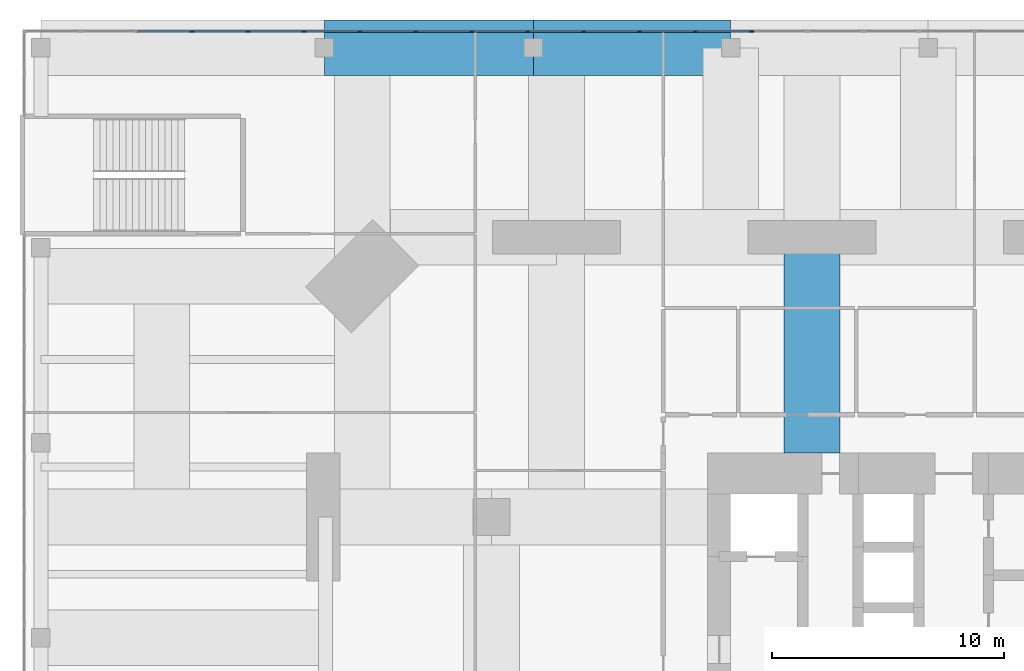
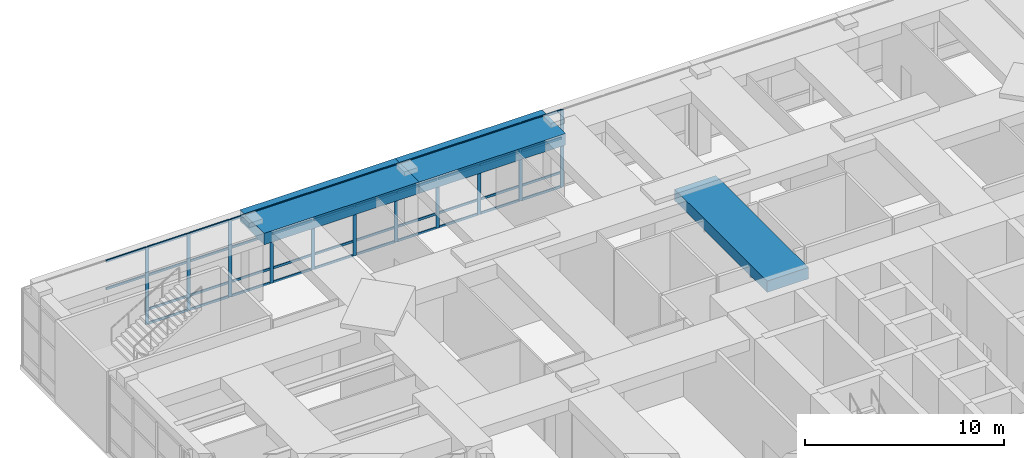
# One storey, part 8 of 24: 53 members, 3 beams, 1 element without a shape of its own.
"""IFC4 building model written with IfcOpenShell, lengths in metres."""

from ifc_helpers import new_model, si_unit, direction, frame, origin, origin_2d, place, context, subcontext, project, spatial, rectangle, extrude, material, material_profile, profile_set, type_object, element, aggregate, save


model = new_model("IFC4")

# Units and contexts
model_context = context("Model", 3, precision=1e-05, world=origin(), true_north=direction((0.0, 1.0)))
body_context = subcontext(model_context, "Body", "Model", "MODEL_VIEW")
ifc_project = project(units=[si_unit("LENGTHUNIT", "METRE"), si_unit("AREAUNIT", "SQUARE_METRE"), si_unit("VOLUMEUNIT", "CUBIC_METRE"), si_unit("PLANEANGLEUNIT", "RADIAN"), si_unit("MASSUNIT", "GRAM", prefix="KILO")], contexts=[model_context])

# Site, building, storey
site_placement = place(None, origin())
site = spatial("IfcSite", under=ifc_project, at=site_placement, CompositionType="ELEMENT")
building_placement = place(site_placement, origin())
building = spatial("IfcBuilding", under=site, at=building_placement, Name="Jalousie Tower", CompositionType="ELEMENT")
storey_placement = place(building_placement, frame((0.0, 0.0, 11.0)))
storey = spatial("IfcBuildingStorey", under=building, at=storey_placement, Name="L02", CompositionType="ELEMENT", Elevation=11.0)

# Curtain wall, members
ifc_material_1 = material(Name="Aluminium curtain wall", Category="aluminium")
curtain_wall_type = type_object("IfcCurtainWallType", Name="PODIUM WINDOW WALL", PredefinedType="USERDEFINED", material=ifc_material_1)
curtain_wall_placement = place(storey_placement, origin())
curtain_wall = element("IfcCurtainWall", 1, at=curtain_wall_placement, inside=storey, type_object=curtain_wall_type, Name="Podium Window Wall L02 21", ObjectType="PODIUM WINDOW WALL", PredefinedType="USERDEFINED")
ifc_material_2 = material(Name="Aluminium mullion", Category="aluminium")
ifc_material_profile_1 = material_profile(ifc_material_2, rectangle(XDim=0.070068359375, YDim=0.199951171875, at=origin_2d()), Name="MULLION 70x200")
ifc_profile_set_1 = profile_set([ifc_material_profile_1], Name="Aluminium mullion")
member_type_1 = type_object("IfcMemberType", Name="PODIUM WINDOW WALL MULLION", PredefinedType="MULLION", material=ifc_profile_set_1)
member_1_placement = place(storey_placement, frame((21.388427734375, 45.91259765625, 0.0), z_axis=(0.0, 0.0, 1.0), x_axis=(0.0, -1.0, 0.0)))
member_1 = element("IfcMember", 2, at=member_1_placement, type_object=member_type_1, Name="CW-P mullion 17", PredefinedType="MULLION", context=body_context, shape_type="SweptSolid", body=[
    extrude(rectangle(XDim=0.070068359375, YDim=0.199951171875, at=origin_2d()), origin(), (0.0, 0.0, 1.0), 4.719970703125),
])
member_2_placement = place(storey_placement, frame((18.980712890625, 45.91259765625, 0.0), z_axis=(0.0, 0.0, 1.0), x_axis=(0.0, -1.0, 0.0)))
member_2 = element("IfcMember", 3, at=member_2_placement, type_object=member_type_1, Name="CW-P mullion 18", PredefinedType="MULLION", context=body_context, shape_type="SweptSolid", body=[
    extrude(rectangle(XDim=0.070068359375, YDim=0.199951171875, at=origin_2d()), origin(), (0.0, 0.0, 1.0), 4.719970703125),
])
member_3_placement = place(storey_placement, frame((16.57275390625, 45.91259765625, 0.0), z_axis=(0.0, 0.0, 1.0), x_axis=(0.0, -1.0, 0.0)))
member_3 = element("IfcMember", 4, at=member_3_placement, type_object=member_type_1, Name="CW-P mullion 19", PredefinedType="MULLION", context=body_context, shape_type="SweptSolid", body=[
    extrude(rectangle(XDim=0.070068359375, YDim=0.199951171875, at=origin_2d()), origin(), (0.0, 0.0, 1.0), 4.719970703125),
])
member_4_placement = place(storey_placement, frame((14.1650390625, 45.91259765625, 0.0), z_axis=(0.0, 0.0, 1.0), x_axis=(0.0, -1.0, 0.0)))
member_4 = element("IfcMember", 5, at=member_4_placement, type_object=member_type_1, Name="CW-P mullion 20", PredefinedType="MULLION", context=body_context, shape_type="SweptSolid", body=[
    extrude(rectangle(XDim=0.070068359375, YDim=0.199951171875, at=origin_2d()), origin(), (0.0, 0.0, 1.0), 4.719970703125),
])
member_5_placement = place(storey_placement, frame((11.75732421875, 45.91259765625, 0.0), z_axis=(0.0, 0.0, 1.0), x_axis=(0.0, -1.0, 0.0)))
member_5 = element("IfcMember", 6, at=member_5_placement, type_object=member_type_1, Name="CW-P mullion 21", PredefinedType="MULLION", context=body_context, shape_type="SweptSolid", body=[
    extrude(rectangle(XDim=0.070068359375, YDim=0.199951171875, at=origin_2d()), origin(), (0.0, 0.0, 1.0), 4.719970703125),
])
member_6_placement = place(storey_placement, frame((9.349609375, 45.91259765625, 0.0), z_axis=(0.0, 0.0, 1.0), x_axis=(0.0, -1.0, 0.0)))
member_6 = element("IfcMember", 7, at=member_6_placement, type_object=member_type_1, Name="CW-P mullion 22", PredefinedType="MULLION", context=body_context, shape_type="SweptSolid", body=[
    extrude(rectangle(XDim=0.070068359375, YDim=0.199951171875, at=origin_2d()), origin(), (0.0, 0.0, 1.0), 4.719970703125),
])
member_7_placement = place(storey_placement, frame((6.94189453125, 45.91259765625, 0.0), z_axis=(0.0, 0.0, 1.0), x_axis=(0.0, -1.0, 0.0)))
member_7 = element("IfcMember", 8, at=member_7_placement, type_object=member_type_1, Name="CW-P mullion 23", PredefinedType="MULLION", context=body_context, shape_type="SweptSolid", body=[
    extrude(rectangle(XDim=0.070068359375, YDim=0.199951171875, at=origin_2d()), origin(), (0.0, 0.0, 1.0), 4.719970703125),
])
member_8_placement = place(storey_placement, frame((4.533935546875, 45.91259765625, 0.0), z_axis=(0.0, 0.0, 1.0), x_axis=(0.0, -1.0, 0.0)))
member_8 = element("IfcMember", 9, at=member_8_placement, type_object=member_type_1, Name="CW-P mullion 24", PredefinedType="MULLION", context=body_context, shape_type="SweptSolid", body=[
    extrude(rectangle(XDim=0.070068359375, YDim=0.199951171875, at=origin_2d()), origin(), (0.0, 0.0, 1.0), 4.719970703125),
])
member_9_placement = place(storey_placement, frame((2.126220703125, 45.91259765625, 0.0), z_axis=(0.0, 0.0, 1.0), x_axis=(0.0, -1.0, 0.0)))
member_9 = element("IfcMember", 10, at=member_9_placement, type_object=member_type_1, Name="CW-P mullion 25", PredefinedType="MULLION", context=body_context, shape_type="SweptSolid", body=[
    extrude(rectangle(XDim=0.070068359375, YDim=0.199951171875, at=origin_2d()), origin(), (0.0, 0.0, 1.0), 4.719970703125),
])
member_10_placement = place(storey_placement, frame((-0.281494140625, 45.91259765625, 0.0), z_axis=(0.0, 0.0, 1.0), x_axis=(0.0, -1.0, 0.0)))
member_10 = element("IfcMember", 11, at=member_10_placement, type_object=member_type_1, Name="CW-P mullion 26", PredefinedType="MULLION", context=body_context, shape_type="SweptSolid", body=[
    extrude(rectangle(XDim=0.070068359375, YDim=0.199951171875, at=origin_2d()), origin(), (0.0, 0.0, 1.0), 4.719970703125),
])
member_11_placement = place(storey_placement, frame((-2.689208984375, 45.91259765625, 0.0), z_axis=(0.0, 0.0, 1.0), x_axis=(0.0, -1.0, 0.0)))
member_11 = element("IfcMember", 12, at=member_11_placement, type_object=member_type_1, Name="CW-P mullion 27", PredefinedType="MULLION", context=body_context, shape_type="SweptSolid", body=[
    extrude(rectangle(XDim=0.070068359375, YDim=0.199951171875, at=origin_2d()), origin(), (0.0, 0.0, 1.0), 4.719970703125),
])
ifc_material_3 = material(Name="Aluminium transom", Category="aluminium")
ifc_material_profile_2 = material_profile(ifc_material_3, rectangle(XDim=0.070068359375, YDim=0.139892578125, at=origin_2d()), Name="TRANSOM 70x140")
ifc_profile_set_2 = profile_set([ifc_material_profile_2], Name="Aluminium transom")
member_type_2 = type_object("IfcMemberType", Name="PODIUM WINDOW WALL TRANSOM", PredefinedType="USERDEFINED", material=ifc_profile_set_2)
member_12_placement = place(storey_placement, frame((21.353271484375, 45.91259765625, 0.034912109375), z_axis=(-1.0, 0.0, 0.0), x_axis=(0.0, -1.0, 0.0)))
member_12 = element("IfcMember", 13, at=member_12_placement, type_object=member_type_2, Name="CW-P transom 17.1", ObjectType="TRANSOM", PredefinedType="USERDEFINED", context=body_context, shape_type="SweptSolid", body=[
    extrude(rectangle(XDim=0.070068359375, YDim=0.139892578125, at=origin_2d()), origin(), (0.0, 0.0, 1.0), 2.337646484375),
])
member_13_placement = place(storey_placement, frame((21.353271484375, 45.91259765625, 0.89990234375), z_axis=(-1.0, 0.0, 0.0), x_axis=(0.0, -1.0, 0.0)))
member_13 = element("IfcMember", 14, at=member_13_placement, type_object=member_type_2, Name="CW-P transom 17.2", ObjectType="TRANSOM", PredefinedType="USERDEFINED", context=body_context, shape_type="SweptSolid", body=[
    extrude(rectangle(XDim=0.070068359375, YDim=0.139892578125, at=origin_2d()), origin(), (0.0, 0.0, 1.0), 2.337646484375),
])
member_14_placement = place(storey_placement, frame((21.353271484375, 45.91259765625, 3.0), z_axis=(-1.0, 0.0, 0.0), x_axis=(0.0, -1.0, 0.0)))
member_14 = element("IfcMember", 15, at=member_14_placement, type_object=member_type_2, Name="CW-P transom 17.3", ObjectType="TRANSOM", PredefinedType="USERDEFINED", context=body_context, shape_type="SweptSolid", body=[
    extrude(rectangle(XDim=0.070068359375, YDim=0.139892578125, at=origin_2d()), origin(), (0.0, 0.0, 1.0), 2.337646484375),
])
member_15_placement = place(storey_placement, frame((21.353271484375, 45.91259765625, 4.68505859375), z_axis=(-1.0, 0.0, 0.0), x_axis=(0.0, -1.0, 0.0)))
member_15 = element("IfcMember", 16, at=member_15_placement, type_object=member_type_2, Name="CW-P transom 17.4", ObjectType="TRANSOM", PredefinedType="USERDEFINED", context=body_context, shape_type="SweptSolid", body=[
    extrude(rectangle(XDim=0.070068359375, YDim=0.139892578125, at=origin_2d()), origin(), (0.0, 0.0, 1.0), 2.337646484375),
])
member_16_placement = place(storey_placement, frame((18.945556640625, 45.91259765625, 0.034912109375), z_axis=(-1.0, 0.0, 0.0), x_axis=(0.0, -1.0, 0.0)))
member_16 = element("IfcMember", 17, at=member_16_placement, type_object=member_type_2, Name="CW-P transom 18.1", ObjectType="TRANSOM", PredefinedType="USERDEFINED", context=body_context, shape_type="SweptSolid", body=[
    extrude(rectangle(XDim=0.070068359375, YDim=0.139892578125, at=origin_2d()), origin(), (0.0, 0.0, 1.0), 2.337646484375),
])
member_17_placement = place(storey_placement, frame((18.945556640625, 45.91259765625, 0.89990234375), z_axis=(-1.0, 0.0, 0.0), x_axis=(0.0, -1.0, 0.0)))
member_17 = element("IfcMember", 18, at=member_17_placement, type_object=member_type_2, Name="CW-P transom 18.2", ObjectType="TRANSOM", PredefinedType="USERDEFINED", context=body_context, shape_type="SweptSolid", body=[
    extrude(rectangle(XDim=0.070068359375, YDim=0.139892578125, at=origin_2d()), origin(), (0.0, 0.0, 1.0), 2.337646484375),
])
member_18_placement = place(storey_placement, frame((18.945556640625, 45.91259765625, 3.0), z_axis=(-1.0, 0.0, 0.0), x_axis=(0.0, -1.0, 0.0)))
member_18 = element("IfcMember", 19, at=member_18_placement, type_object=member_type_2, Name="CW-P transom 18.3", ObjectType="TRANSOM", PredefinedType="USERDEFINED", context=body_context, shape_type="SweptSolid", body=[
    extrude(rectangle(XDim=0.070068359375, YDim=0.139892578125, at=origin_2d()), origin(), (0.0, 0.0, 1.0), 2.337646484375),
])
member_19_placement = place(storey_placement, frame((18.945556640625, 45.91259765625, 4.68505859375), z_axis=(-1.0, 0.0, 0.0), x_axis=(0.0, -1.0, 0.0)))
member_19 = element("IfcMember", 20, at=member_19_placement, type_object=member_type_2, Name="CW-P transom 18.4", ObjectType="TRANSOM", PredefinedType="USERDEFINED", context=body_context, shape_type="SweptSolid", body=[
    extrude(rectangle(XDim=0.070068359375, YDim=0.139892578125, at=origin_2d()), origin(), (0.0, 0.0, 1.0), 2.337646484375),
])
member_20_placement = place(storey_placement, frame((16.537841796875, 45.91259765625, 0.034912109375), z_axis=(-1.0, 0.0, 0.0), x_axis=(0.0, -1.0, 0.0)))
member_20 = element("IfcMember", 21, at=member_20_placement, type_object=member_type_2, Name="CW-P transom 19.1", ObjectType="TRANSOM", PredefinedType="USERDEFINED", context=body_context, shape_type="SweptSolid", body=[
    extrude(rectangle(XDim=0.070068359375, YDim=0.139892578125, at=origin_2d()), origin(), (0.0, 0.0, 1.0), 2.337646484375),
])
member_21_placement = place(storey_placement, frame((16.537841796875, 45.91259765625, 0.89990234375), z_axis=(-1.0, 0.0, 0.0), x_axis=(0.0, -1.0, 0.0)))
member_21 = element("IfcMember", 22, at=member_21_placement, type_object=member_type_2, Name="CW-P transom 19.2", ObjectType="TRANSOM", PredefinedType="USERDEFINED", context=body_context, shape_type="SweptSolid", body=[
    extrude(rectangle(XDim=0.070068359375, YDim=0.139892578125, at=origin_2d()), origin(), (0.0, 0.0, 1.0), 2.337646484375),
])
member_22_placement = place(storey_placement, frame((16.537841796875, 45.91259765625, 3.0), z_axis=(-1.0, 0.0, 0.0), x_axis=(0.0, -1.0, 0.0)))
member_22 = element("IfcMember", 23, at=member_22_placement, type_object=member_type_2, Name="CW-P transom 19.3", ObjectType="TRANSOM", PredefinedType="USERDEFINED", context=body_context, shape_type="SweptSolid", body=[
    extrude(rectangle(XDim=0.070068359375, YDim=0.139892578125, at=origin_2d()), origin(), (0.0, 0.0, 1.0), 2.337646484375),
])
member_23_placement = place(storey_placement, frame((16.537841796875, 45.91259765625, 4.68505859375), z_axis=(-1.0, 0.0, 0.0), x_axis=(0.0, -1.0, 0.0)))
member_23 = element("IfcMember", 24, at=member_23_placement, type_object=member_type_2, Name="CW-P transom 19.4", ObjectType="TRANSOM", PredefinedType="USERDEFINED", context=body_context, shape_type="SweptSolid", body=[
    extrude(rectangle(XDim=0.070068359375, YDim=0.139892578125, at=origin_2d()), origin(), (0.0, 0.0, 1.0), 2.337646484375),
])
member_24_placement = place(storey_placement, frame((14.130126953125, 45.91259765625, 0.034912109375), z_axis=(-1.0, 0.0, 0.0), x_axis=(0.0, -1.0, 0.0)))
member_24 = element("IfcMember", 25, at=member_24_placement, type_object=member_type_2, Name="CW-P transom 20.1", ObjectType="TRANSOM", PredefinedType="USERDEFINED", context=body_context, shape_type="SweptSolid", body=[
    extrude(rectangle(XDim=0.070068359375, YDim=0.139892578125, at=origin_2d()), origin(), (0.0, 0.0, 1.0), 2.337890625),
])
member_25_placement = place(storey_placement, frame((14.130126953125, 45.91259765625, 0.89990234375), z_axis=(-1.0, 0.0, 0.0), x_axis=(0.0, -1.0, 0.0)))
member_25 = element("IfcMember", 26, at=member_25_placement, type_object=member_type_2, Name="CW-P transom 20.2", ObjectType="TRANSOM", PredefinedType="USERDEFINED", context=body_context, shape_type="SweptSolid", body=[
    extrude(rectangle(XDim=0.070068359375, YDim=0.139892578125, at=origin_2d()), origin(), (0.0, 0.0, 1.0), 2.337890625),
])
member_26_placement = place(storey_placement, frame((14.130126953125, 45.91259765625, 3.0), z_axis=(-1.0, 0.0, 0.0), x_axis=(0.0, -1.0, 0.0)))
member_26 = element("IfcMember", 27, at=member_26_placement, type_object=member_type_2, Name="CW-P transom 20.3", ObjectType="TRANSOM", PredefinedType="USERDEFINED", context=body_context, shape_type="SweptSolid", body=[
    extrude(rectangle(XDim=0.070068359375, YDim=0.139892578125, at=origin_2d()), origin(), (0.0, 0.0, 1.0), 2.337890625),
])
member_27_placement = place(storey_placement, frame((14.130126953125, 45.91259765625, 4.68505859375), z_axis=(-1.0, 0.0, 0.0), x_axis=(0.0, -1.0, 0.0)))
member_27 = element("IfcMember", 28, at=member_27_placement, type_object=member_type_2, Name="CW-P transom 20.4", ObjectType="TRANSOM", PredefinedType="USERDEFINED", context=body_context, shape_type="SweptSolid", body=[
    extrude(rectangle(XDim=0.070068359375, YDim=0.139892578125, at=origin_2d()), origin(), (0.0, 0.0, 1.0), 2.337890625),
])
member_28_placement = place(storey_placement, frame((11.722412109375, 45.91259765625, 0.034912109375), z_axis=(-1.0, 0.0, 0.0), x_axis=(0.0, -1.0, 0.0)))
member_28 = element("IfcMember", 29, at=member_28_placement, type_object=member_type_2, Name="CW-P transom 21.1", ObjectType="TRANSOM", PredefinedType="USERDEFINED", context=body_context, shape_type="SweptSolid", body=[
    extrude(rectangle(XDim=0.070068359375, YDim=0.139892578125, at=origin_2d()), origin(), (0.0, 0.0, 1.0), 2.337890625),
])
member_29_placement = place(storey_placement, frame((11.722412109375, 45.91259765625, 0.89990234375), z_axis=(-1.0, 0.0, 0.0), x_axis=(0.0, -1.0, 0.0)))
member_29 = element("IfcMember", 30, at=member_29_placement, type_object=member_type_2, Name="CW-P transom 21.2", ObjectType="TRANSOM", PredefinedType="USERDEFINED", context=body_context, shape_type="SweptSolid", body=[
    extrude(rectangle(XDim=0.070068359375, YDim=0.139892578125, at=origin_2d()), origin(), (0.0, 0.0, 1.0), 2.337890625),
])
member_30_placement = place(storey_placement, frame((11.722412109375, 45.91259765625, 3.0), z_axis=(-1.0, 0.0, 0.0), x_axis=(0.0, -1.0, 0.0)))
member_30 = element("IfcMember", 31, at=member_30_placement, type_object=member_type_2, Name="CW-P transom 21.3", ObjectType="TRANSOM", PredefinedType="USERDEFINED", context=body_context, shape_type="SweptSolid", body=[
    extrude(rectangle(XDim=0.070068359375, YDim=0.139892578125, at=origin_2d()), origin(), (0.0, 0.0, 1.0), 2.337890625),
])
member_31_placement = place(storey_placement, frame((11.722412109375, 45.91259765625, 4.68505859375), z_axis=(-1.0, 0.0, 0.0), x_axis=(0.0, -1.0, 0.0)))
member_31 = element("IfcMember", 32, at=member_31_placement, type_object=member_type_2, Name="CW-P transom 21.4", ObjectType="TRANSOM", PredefinedType="USERDEFINED", context=body_context, shape_type="SweptSolid", body=[
    extrude(rectangle(XDim=0.070068359375, YDim=0.139892578125, at=origin_2d()), origin(), (0.0, 0.0, 1.0), 2.337890625),
])
member_32_placement = place(storey_placement, frame((9.314453125, 45.91259765625, 0.034912109375), z_axis=(-1.0, 0.0, 0.0), x_axis=(0.0, -1.0, 0.0)))
member_32 = element("IfcMember", 33, at=member_32_placement, type_object=member_type_2, Name="CW-P transom 22.1", ObjectType="TRANSOM", PredefinedType="USERDEFINED", context=body_context, shape_type="SweptSolid", body=[
    extrude(rectangle(XDim=0.070068359375, YDim=0.139892578125, at=origin_2d()), origin(), (0.0, 0.0, 1.0), 2.337646484375),
])
member_33_placement = place(storey_placement, frame((9.314453125, 45.91259765625, 0.89990234375), z_axis=(-1.0, 0.0, 0.0), x_axis=(0.0, -1.0, 0.0)))
member_33 = element("IfcMember", 34, at=member_33_placement, type_object=member_type_2, Name="CW-P transom 22.2", ObjectType="TRANSOM", PredefinedType="USERDEFINED", context=body_context, shape_type="SweptSolid", body=[
    extrude(rectangle(XDim=0.070068359375, YDim=0.139892578125, at=origin_2d()), origin(), (0.0, 0.0, 1.0), 2.337646484375),
])
member_34_placement = place(storey_placement, frame((9.314453125, 45.91259765625, 3.0), z_axis=(-1.0, 0.0, 0.0), x_axis=(0.0, -1.0, 0.0)))
member_34 = element("IfcMember", 35, at=member_34_placement, type_object=member_type_2, Name="CW-P transom 22.3", ObjectType="TRANSOM", PredefinedType="USERDEFINED", context=body_context, shape_type="SweptSolid", body=[
    extrude(rectangle(XDim=0.070068359375, YDim=0.139892578125, at=origin_2d()), origin(), (0.0, 0.0, 1.0), 2.337646484375),
])
member_35_placement = place(storey_placement, frame((9.314453125, 45.91259765625, 4.68505859375), z_axis=(-1.0, 0.0, 0.0), x_axis=(0.0, -1.0, 0.0)))
member_35 = element("IfcMember", 36, at=member_35_placement, type_object=member_type_2, Name="CW-P transom 22.4", ObjectType="TRANSOM", PredefinedType="USERDEFINED", context=body_context, shape_type="SweptSolid", body=[
    extrude(rectangle(XDim=0.070068359375, YDim=0.139892578125, at=origin_2d()), origin(), (0.0, 0.0, 1.0), 2.337646484375),
])
member_36_placement = place(storey_placement, frame((6.90673828125, 45.91259765625, 0.034912109375), z_axis=(-1.0, 0.0, 0.0), x_axis=(0.0, -1.0, 0.0)))
member_36 = element("IfcMember", 37, at=member_36_placement, type_object=member_type_2, Name="CW-P transom 23.1", ObjectType="TRANSOM", PredefinedType="USERDEFINED", context=body_context, shape_type="SweptSolid", body=[
    extrude(rectangle(XDim=0.070068359375, YDim=0.139892578125, at=origin_2d()), origin(), (0.0, 0.0, 1.0), 2.337646484375),
])
member_37_placement = place(storey_placement, frame((6.90673828125, 45.91259765625, 0.89990234375), z_axis=(-1.0, 0.0, 0.0), x_axis=(0.0, -1.0, 0.0)))
member_37 = element("IfcMember", 38, at=member_37_placement, type_object=member_type_2, Name="CW-P transom 23.2", ObjectType="TRANSOM", PredefinedType="USERDEFINED", context=body_context, shape_type="SweptSolid", body=[
    extrude(rectangle(XDim=0.070068359375, YDim=0.139892578125, at=origin_2d()), origin(), (0.0, 0.0, 1.0), 2.337646484375),
])
member_38_placement = place(storey_placement, frame((6.90673828125, 45.91259765625, 3.0), z_axis=(-1.0, 0.0, 0.0), x_axis=(0.0, -1.0, 0.0)))
member_38 = element("IfcMember", 39, at=member_38_placement, type_object=member_type_2, Name="CW-P transom 23.3", ObjectType="TRANSOM", PredefinedType="USERDEFINED", context=body_context, shape_type="SweptSolid", body=[
    extrude(rectangle(XDim=0.070068359375, YDim=0.139892578125, at=origin_2d()), origin(), (0.0, 0.0, 1.0), 2.337646484375),
])
member_39_placement = place(storey_placement, frame((6.90673828125, 45.91259765625, 4.68505859375), z_axis=(-1.0, 0.0, 0.0), x_axis=(0.0, -1.0, 0.0)))
member_39 = element("IfcMember", 40, at=member_39_placement, type_object=member_type_2, Name="CW-P transom 23.4", ObjectType="TRANSOM", PredefinedType="USERDEFINED", context=body_context, shape_type="SweptSolid", body=[
    extrude(rectangle(XDim=0.070068359375, YDim=0.139892578125, at=origin_2d()), origin(), (0.0, 0.0, 1.0), 2.337646484375),
])
member_40_placement = place(storey_placement, frame((4.4990234375, 45.91259765625, 0.034912109375), z_axis=(-1.0, 0.0, 0.0), x_axis=(0.0, -1.0, 0.0)))
member_40 = element("IfcMember", 41, at=member_40_placement, type_object=member_type_2, Name="CW-P transom 24.1", ObjectType="TRANSOM", PredefinedType="USERDEFINED", context=body_context, shape_type="SweptSolid", body=[
    extrude(rectangle(XDim=0.070068359375, YDim=0.139892578125, at=origin_2d()), origin(), (0.0, 0.0, 1.0), 2.337646484375),
])
member_41_placement = place(storey_placement, frame((4.4990234375, 45.91259765625, 0.89990234375), z_axis=(-1.0, 0.0, 0.0), x_axis=(0.0, -1.0, 0.0)))
member_41 = element("IfcMember", 42, at=member_41_placement, type_object=member_type_2, Name="CW-P transom 24.2", ObjectType="TRANSOM", PredefinedType="USERDEFINED", context=body_context, shape_type="SweptSolid", body=[
    extrude(rectangle(XDim=0.070068359375, YDim=0.139892578125, at=origin_2d()), origin(), (0.0, 0.0, 1.0), 2.337646484375),
])
member_42_placement = place(storey_placement, frame((4.4990234375, 45.91259765625, 3.0), z_axis=(-1.0, 0.0, 0.0), x_axis=(0.0, -1.0, 0.0)))
member_42 = element("IfcMember", 43, at=member_42_placement, type_object=member_type_2, Name="CW-P transom 24.3", ObjectType="TRANSOM", PredefinedType="USERDEFINED", context=body_context, shape_type="SweptSolid", body=[
    extrude(rectangle(XDim=0.070068359375, YDim=0.139892578125, at=origin_2d()), origin(), (0.0, 0.0, 1.0), 2.337646484375),
])
member_43_placement = place(storey_placement, frame((4.4990234375, 45.91259765625, 4.68505859375), z_axis=(-1.0, 0.0, 0.0), x_axis=(0.0, -1.0, 0.0)))
member_43 = element("IfcMember", 44, at=member_43_placement, type_object=member_type_2, Name="CW-P transom 24.4", ObjectType="TRANSOM", PredefinedType="USERDEFINED", context=body_context, shape_type="SweptSolid", body=[
    extrude(rectangle(XDim=0.070068359375, YDim=0.139892578125, at=origin_2d()), origin(), (0.0, 0.0, 1.0), 2.337646484375),
])
member_44_placement = place(storey_placement, frame((2.09130859375, 45.91259765625, 0.034912109375), z_axis=(-1.0, 0.0, 0.0), x_axis=(0.0, -1.0, 0.0)))
member_44 = element("IfcMember", 45, at=member_44_placement, type_object=member_type_2, Name="CW-P transom 25.1", ObjectType="TRANSOM", PredefinedType="USERDEFINED", context=body_context, shape_type="SweptSolid", body=[
    extrude(rectangle(XDim=0.070068359375, YDim=0.139892578125, at=origin_2d()), origin(), (0.0, 0.0, 1.0), 2.337890625),
])
member_45_placement = place(storey_placement, frame((2.09130859375, 45.91259765625, 0.89990234375), z_axis=(-1.0, 0.0, 0.0), x_axis=(0.0, -1.0, 0.0)))
member_45 = element("IfcMember", 46, at=member_45_placement, type_object=member_type_2, Name="CW-P transom 25.2", ObjectType="TRANSOM", PredefinedType="USERDEFINED", context=body_context, shape_type="SweptSolid", body=[
    extrude(rectangle(XDim=0.070068359375, YDim=0.139892578125, at=origin_2d()), origin(), (0.0, 0.0, 1.0), 2.337890625),
])
member_46_placement = place(storey_placement, frame((2.09130859375, 45.91259765625, 3.0), z_axis=(-1.0, 0.0, 0.0), x_axis=(0.0, -1.0, 0.0)))
member_46 = element("IfcMember", 47, at=member_46_placement, type_object=member_type_2, Name="CW-P transom 25.3", ObjectType="TRANSOM", PredefinedType="USERDEFINED", context=body_context, shape_type="SweptSolid", body=[
    extrude(rectangle(XDim=0.070068359375, YDim=0.139892578125, at=origin_2d()), origin(), (0.0, 0.0, 1.0), 2.337890625),
])
member_47_placement = place(storey_placement, frame((2.09130859375, 45.91259765625, 4.68505859375), z_axis=(-1.0, 0.0, 0.0), x_axis=(0.0, -1.0, 0.0)))
member_47 = element("IfcMember", 48, at=member_47_placement, type_object=member_type_2, Name="CW-P transom 25.4", ObjectType="TRANSOM", PredefinedType="USERDEFINED", context=body_context, shape_type="SweptSolid", body=[
    extrude(rectangle(XDim=0.070068359375, YDim=0.139892578125, at=origin_2d()), origin(), (0.0, 0.0, 1.0), 2.337890625),
])
member_48_placement = place(storey_placement, frame((-0.31640625, 45.91259765625, 0.034912109375), z_axis=(-1.0, 0.0, 0.0), x_axis=(0.0, -1.0, 0.0)))
member_48 = element("IfcMember", 49, at=member_48_placement, type_object=member_type_2, Name="CW-P transom 26.1", ObjectType="TRANSOM", PredefinedType="USERDEFINED", context=body_context, shape_type="SweptSolid", body=[
    extrude(rectangle(XDim=0.070068359375, YDim=0.139892578125, at=origin_2d()), origin(), (0.0, 0.0, 1.0), 2.337890625),
])
member_49_placement = place(storey_placement, frame((-0.31640625, 45.91259765625, 0.89990234375), z_axis=(-1.0, 0.0, 0.0), x_axis=(0.0, -1.0, 0.0)))
member_49 = element("IfcMember", 50, at=member_49_placement, type_object=member_type_2, Name="CW-P transom 26.2", ObjectType="TRANSOM", PredefinedType="USERDEFINED", context=body_context, shape_type="SweptSolid", body=[
    extrude(rectangle(XDim=0.070068359375, YDim=0.139892578125, at=origin_2d()), origin(), (0.0, 0.0, 1.0), 2.337890625),
])
member_50_placement = place(storey_placement, frame((-0.31640625, 45.91259765625, 3.0), z_axis=(-1.0, 0.0, 0.0), x_axis=(0.0, -1.0, 0.0)))
member_50 = element("IfcMember", 51, at=member_50_placement, type_object=member_type_2, Name="CW-P transom 26.3", ObjectType="TRANSOM", PredefinedType="USERDEFINED", context=body_context, shape_type="SweptSolid", body=[
    extrude(rectangle(XDim=0.070068359375, YDim=0.139892578125, at=origin_2d()), origin(), (0.0, 0.0, 1.0), 2.337890625),
])
member_51_placement = place(storey_placement, frame((-0.31640625, 45.91259765625, 4.68505859375), z_axis=(-1.0, 0.0, 0.0), x_axis=(0.0, -1.0, 0.0)))
member_51 = element("IfcMember", 52, at=member_51_placement, type_object=member_type_2, Name="CW-P transom 26.4", ObjectType="TRANSOM", PredefinedType="USERDEFINED", context=body_context, shape_type="SweptSolid", body=[
    extrude(rectangle(XDim=0.070068359375, YDim=0.139892578125, at=origin_2d()), origin(), (0.0, 0.0, 1.0), 2.337890625),
])
member_52_placement = place(storey_placement, frame((-2.72412109375, 45.91259765625, 3.0), z_axis=(-1.0, 0.0, 0.0), x_axis=(0.0, -1.0, 0.0)))
member_52 = element("IfcMember", 53, at=member_52_placement, type_object=member_type_2, Name="CW-P transom 27.3", ObjectType="TRANSOM", PredefinedType="USERDEFINED", context=body_context, shape_type="SweptSolid", body=[
    extrude(rectangle(XDim=0.070068359375, YDim=0.139892578125, at=origin_2d()), origin(), (0.0, 0.0, 1.0), 2.337890625),
])
member_53_placement = place(storey_placement, frame((-2.72412109375, 45.91259765625, 4.68505859375), z_axis=(-1.0, 0.0, 0.0), x_axis=(0.0, -1.0, 0.0)))
member_53 = element("IfcMember", 54, at=member_53_placement, type_object=member_type_2, Name="CW-P transom 27.4", ObjectType="TRANSOM", PredefinedType="USERDEFINED", context=body_context, shape_type="SweptSolid", body=[
    extrude(rectangle(XDim=0.070068359375, YDim=0.139892578125, at=origin_2d()), origin(), (0.0, 0.0, 1.0), 2.337890625),
])
aggregate(curtain_wall, [member_1, member_2, member_3, member_4, member_5, member_6, member_7, member_8, member_9, member_10, member_11, member_12, member_13, member_14, member_15, member_16, member_17, member_18, member_19, member_20, member_21, member_22, member_23, member_24, member_25, member_26, member_27, member_28, member_29, member_30, member_31, member_32, member_33, member_34, member_35, member_36, member_37, member_38, member_39, member_40, member_41, member_42, member_43, member_44, member_45, member_46, member_47, member_48, member_49, member_50, member_51, member_52, member_53])

# Beams
ifc_material_4 = material(Name="Concrete f'c 40 MPa", Category="concrete")
ifc_material_profile_3 = material_profile(ifc_material_4, rectangle(XDim=2.39990234375, YDim=0.699951171875, at=origin_2d()), Name="RC 2400x700")
ifc_profile_set_3 = profile_set([ifc_material_profile_3], Name="Concrete f'c 40 MPa")
beam_type = type_object("IfcBeamType", Name="RC BEAM 2400x700", PredefinedType="BEAM", material=ifc_profile_set_3)
beam_1_placement = place(storey_placement, frame((3.0, 45.199951171875, 4.3701171875), z_axis=(1.0, 0.0, 0.0), x_axis=(0.0, 1.0, 0.0)))
element("IfcBeam", 55, at=beam_1_placement, inside=storey, type_object=beam_type, Name="Floor band beam under L03", PredefinedType="BEAM", context=body_context, shape_type="SweptSolid", body=[
    extrude(rectangle(XDim=2.39990234375, YDim=0.699951171875, at=origin_2d()), origin(), (0.0, 0.0, 1.0), 9.0),
])
beam_2_placement = place(storey_placement, frame((12.0, 45.199951171875, 4.3701171875), z_axis=(1.0, 0.0, 0.0), x_axis=(0.0, 1.0, 0.0)))
element("IfcBeam", 56, at=beam_2_placement, inside=storey, type_object=beam_type, Name="Floor band beam under L03", PredefinedType="BEAM", context=body_context, shape_type="SweptSolid", body=[
    extrude(rectangle(XDim=2.39990234375, YDim=0.699951171875, at=origin_2d()), origin(), (0.0, 0.0, 1.0), 8.5),
])
beam_3_placement = place(storey_placement, frame((24.0, 37.050048828125, 4.3701171875), z_axis=(0.0, -1.0, 0.0), x_axis=(1.0, 0.0, 0.0)))
element("IfcBeam", 57, at=beam_3_placement, inside=storey, type_object=beam_type, Name="Floor band beam under L03", PredefinedType="BEAM", context=body_context, shape_type="SweptSolid", body=[
    extrude(rectangle(XDim=2.39990234375, YDim=0.699951171875, at=origin_2d()), origin(), (0.0, 0.0, 1.0), 9.300048828125),
])

save(model, "model.ifc")
